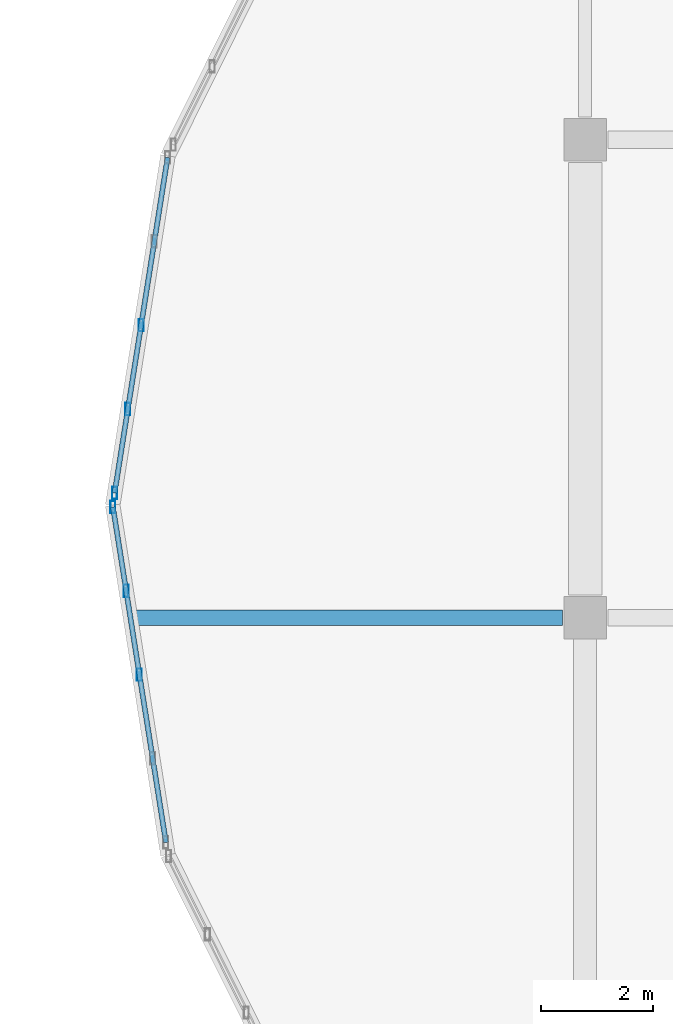
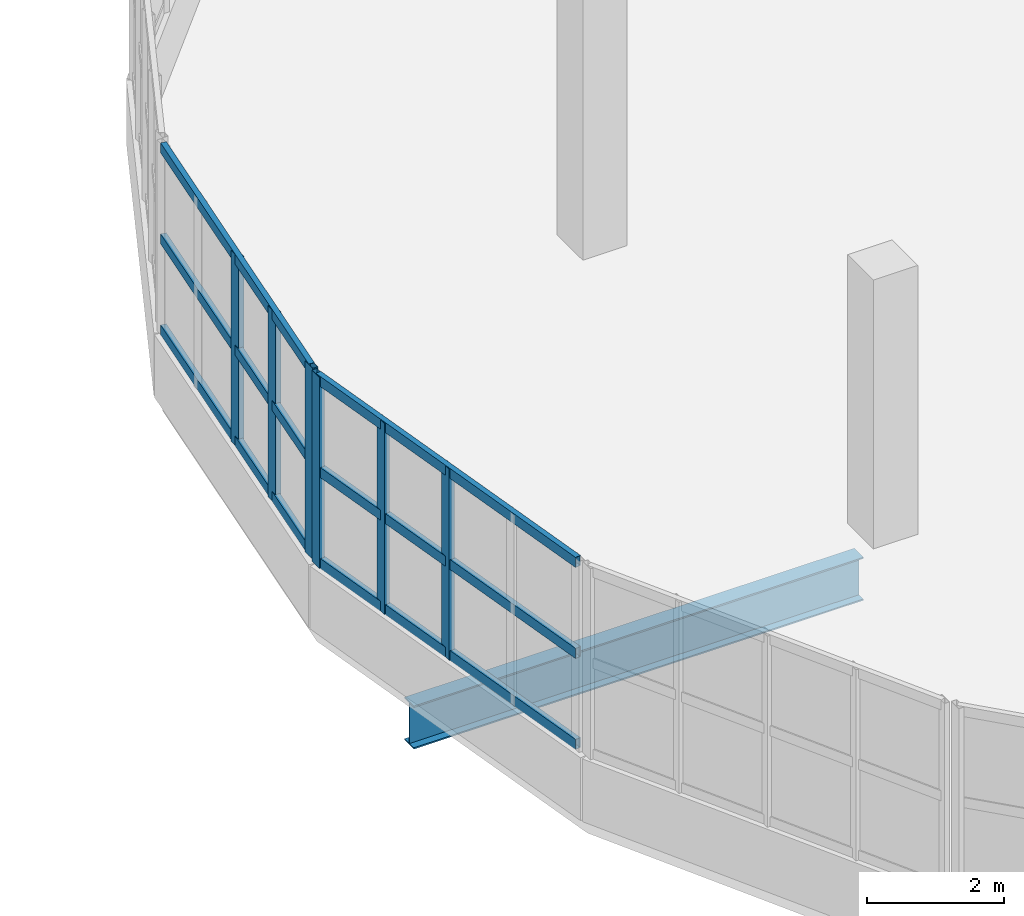
# One storey, part 14 of 117: 12 members, 1 beam, 2 elements without a shape of their own.
"""IFC4 building model written with IfcOpenShell, lengths in metres."""

from ifc_helpers import new_model, si_unit, direction, frame, origin, origin_2d, place, context, subcontext, project, spatial, hollow_rectangle, i_section, extrude, material, material_profile, profile_set, type_object, element, aggregate, save


model = new_model("IFC4")

# Units and contexts
model_context = context("Model", 3, precision=1e-05, world=origin(), true_north=direction((0.0, 1.0)))
body_context = subcontext(model_context, "Body", "Model", "MODEL_VIEW")
ifc_project = project(units=[si_unit("LENGTHUNIT", "METRE"), si_unit("AREAUNIT", "SQUARE_METRE"), si_unit("VOLUMEUNIT", "CUBIC_METRE"), si_unit("PLANEANGLEUNIT", "RADIAN"), si_unit("MASSUNIT", "GRAM", prefix="KILO")], contexts=[model_context])

# Site, building, storey
site_placement = place(None, origin())
site = spatial("IfcSite", under=ifc_project, at=site_placement, CompositionType="ELEMENT")
building_placement = place(site_placement, origin())
building = spatial("IfcBuilding", under=site, at=building_placement, Name="Solvento Point Concert Hall", CompositionType="ELEMENT")
storey_placement = place(building_placement, frame((0.0, 0.0, 5.39990234375)))
storey = spatial("IfcBuildingStorey", under=building, at=storey_placement, Name="L01", CompositionType="ELEMENT", Elevation=5.39990234375)

# Beam
ifc_material_1 = material(Name="Structural Steel ASTM A992 Grade 50", Category="steel")
ifc_material_profile_1 = material_profile(ifc_material_1, i_section(OverallWidth=0.26806640625, OverallDepth=0.77001953125, WebThickness=0.015625, FlangeThickness=0.025390625, at=origin_2d()), Name="W30X132")
ifc_profile_set_1 = profile_set([ifc_material_profile_1], Name="Structural Steel ASTM A992 Grade 50")
beam_type = type_object("IfcBeamType", Name="Girder_W30X132", PredefinedType="USERDEFINED", material=ifc_profile_set_1)
beam_placement = place(storey_placement, frame((32.803955078125, 34.0, -0.6689453125), z_axis=(1.0, 0.0, 0.0), x_axis=(0.0, 1.0, 0.0)))
element("IfcBeam", 1, at=beam_placement, inside=storey, type_object=beam_type, Name="Primary girder B-68 L01", ObjectType="GIRDER", PredefinedType="USERDEFINED", context=body_context, shape_type="SweptSolid", body=[
    extrude(i_section(OverallWidth=0.26806640625, OverallDepth=0.77001953125, WebThickness=0.015625, FlangeThickness=0.025390625, at=origin_2d()), origin(), (0.0, 0.0, 1.0), 7.592041015625),
])

# Curtain wall, members
ifc_material_2 = material(Name="Anodized Bronze Aluminium", Category="aluminium")
curtain_wall_type = type_object("IfcCurtainWallType", Name="CurtainWall_RingRibbon_L01_02", PredefinedType="USERDEFINED", material=ifc_material_2)
curtain_wall_1_placement = place(storey_placement, origin())
curtain_wall_1 = element("IfcCurtainWall", 2, at=curtain_wall_1_placement, inside=storey, type_object=curtain_wall_type, Name="Unitised curtain wall CW-59 UCW-L01-097", ObjectType="UNITISED CURTAIN WALL", PredefinedType="USERDEFINED")
ifc_material_3 = material(Name="Anodized Bronze Aluminium", Category="aluminium")
ifc_material_profile_2 = material_profile(ifc_material_3, hollow_rectangle(XDim=0.090087890625, YDim=0.219970703125, WallThickness=0.00439453125, at=origin_2d()), Name="CW-MUL-90X220")
ifc_profile_set_2 = profile_set([ifc_material_profile_2], Name="Anodized Bronze Aluminium")
member_type_1 = type_object("IfcMemberType", Name="Mullion_90x220", PredefinedType="MULLION", material=ifc_profile_set_2)
member_1_placement = place(storey_placement, frame((32.875732421875, 32.988037109375, 1.1201171875), z_axis=(0.0, 0.0, 1.0), x_axis=(1.0, 0.0, 0.0)))
member_1 = element("IfcMember", 3, at=member_1_placement, type_object=member_type_1, Name="Curtain wall mullion ML-02", PredefinedType="MULLION", context=body_context, shape_type="SweptSolid", body=[
    extrude(hollow_rectangle(XDim=0.090087890625, YDim=0.219970703125, WallThickness=0.00439453125, at=origin_2d()), origin(), (0.0, 0.0, 1.0), 3.409912109375),
])
member_2_placement = place(storey_placement, frame((32.640380859375, 34.479248046875, 1.1201171875), z_axis=(0.0, 0.0, 1.0), x_axis=(1.0, 0.0, 0.0)))
member_2 = element("IfcMember", 4, at=member_2_placement, type_object=member_type_1, Name="Curtain wall mullion ML-02", PredefinedType="MULLION", context=body_context, shape_type="SweptSolid", body=[
    extrude(hollow_rectangle(XDim=0.090087890625, YDim=0.219970703125, WallThickness=0.00439453125, at=origin_2d()), origin(), (0.0, 0.0, 1.0), 3.409912109375),
])
member_3_placement = place(storey_placement, frame((32.40478515625, 35.970458984375, 1.1201171875), z_axis=(0.0, 0.0, 1.0), x_axis=(1.0, 0.0, 0.0)))
member_3 = element("IfcMember", 5, at=member_3_placement, type_object=member_type_1, Name="Curtain wall mullion ML-02", PredefinedType="MULLION", context=body_context, shape_type="SweptSolid", body=[
    extrude(hollow_rectangle(XDim=0.090087890625, YDim=0.219970703125, WallThickness=0.00439453125, at=origin_2d()), origin(), (0.0, 0.0, 1.0), 3.409912109375),
])

curtain_wall_2_placement = place(storey_placement, origin())
curtain_wall_2 = element("IfcCurtainWall", 6, at=curtain_wall_2_placement, inside=storey, type_object=curtain_wall_type, Name="Unitised curtain wall CW-59 UCW-L01-098", ObjectType="UNITISED CURTAIN WALL", PredefinedType="USERDEFINED")
member_4_placement = place(storey_placement, frame((32.434326171875, 36.21728515625, 1.1201171875), z_axis=(0.0, 0.0, 1.0), x_axis=(1.0, 0.0, 0.0)))
member_4 = element("IfcMember", 7, at=member_4_placement, type_object=member_type_1, Name="Curtain wall mullion ML-02", PredefinedType="MULLION", context=body_context, shape_type="SweptSolid", body=[
    extrude(hollow_rectangle(XDim=0.090087890625, YDim=0.219970703125, WallThickness=0.00439453125, at=origin_2d()), origin(), (0.0, 0.0, 1.0), 3.409912109375),
])
member_5_placement = place(storey_placement, frame((32.669921875, 37.70849609375, 1.1201171875), z_axis=(0.0, 0.0, 1.0), x_axis=(1.0, 0.0, 0.0)))
member_5 = element("IfcMember", 8, at=member_5_placement, type_object=member_type_1, Name="Curtain wall mullion ML-02", PredefinedType="MULLION", context=body_context, shape_type="SweptSolid", body=[
    extrude(hollow_rectangle(XDim=0.090087890625, YDim=0.219970703125, WallThickness=0.00439453125, at=origin_2d()), origin(), (0.0, 0.0, 1.0), 3.409912109375),
])
member_6_placement = place(storey_placement, frame((32.905517578125, 39.19970703125, 1.1201171875), z_axis=(0.0, 0.0, 1.0), x_axis=(1.0, 0.0, 0.0)))
member_6 = element("IfcMember", 9, at=member_6_placement, type_object=member_type_1, Name="Curtain wall mullion ML-02", PredefinedType="MULLION", context=body_context, shape_type="SweptSolid", body=[
    extrude(hollow_rectangle(XDim=0.090087890625, YDim=0.219970703125, WallThickness=0.00439453125, at=origin_2d()), origin(), (0.0, 0.0, 1.0), 3.409912109375),
])

# Member
ifc_material_4 = material(Name="Anodized Bronze Aluminium", Category="aluminium")
ifc_material_profile_3 = material_profile(ifc_material_4, hollow_rectangle(XDim=0.090087890625, YDim=0.179931640625, WallThickness=0.00439453125, at=origin_2d()), Name="CW-TRN-90X180")
ifc_profile_set_3 = profile_set([ifc_material_profile_3], Name="Anodized Bronze Aluminium")
member_type_2 = type_object("IfcMemberType", Name="Transom_90x180", PredefinedType="USERDEFINED", material=ifc_profile_set_3)
member_7_placement = place(storey_placement, frame((33.346923828125, 30.005615234375, 1.2001953125), z_axis=(-0.156014475008, 0.987754768952, 0.0), x_axis=(-0.987754768952, -0.156014475008, 0.0)))
member_7 = element("IfcMember", 10, at=member_7_placement, type_object=member_type_2, Name="Curtain wall transom TR-02", ObjectType="TRANSOM", PredefinedType="USERDEFINED", context=body_context, shape_type="SweptSolid", body=[
    extrude(hollow_rectangle(XDim=0.090087890625, YDim=0.179931640625, WallThickness=0.00439453125, at=origin_2d()), origin(), (0.0, 0.0, 1.0), 6.038818359375),
])

member_8_placement = place(storey_placement, frame((33.346923828125, 30.005615234375, 2.8251953125), z_axis=(-0.156014475008, 0.987754768952, 0.0), x_axis=(-0.987754768952, -0.156014475008, 0.0)))
member_8 = element("IfcMember", 11, at=member_8_placement, type_object=member_type_2, Name="Curtain wall transom TR-02", ObjectType="TRANSOM", PredefinedType="USERDEFINED", context=body_context, shape_type="SweptSolid", body=[
    extrude(hollow_rectangle(XDim=0.090087890625, YDim=0.179931640625, WallThickness=0.00439453125, at=origin_2d()), origin(), (0.0, 0.0, 1.0), 6.038818359375),
])

member_9_placement = place(storey_placement, frame((33.346923828125, 30.005615234375, 4.4501953125), z_axis=(-0.156014475008, 0.987754768952, 0.0), x_axis=(-0.987754768952, -0.156014475008, 0.0)))
member_9 = element("IfcMember", 12, at=member_9_placement, type_object=member_type_2, Name="Curtain wall transom TR-02", ObjectType="TRANSOM", PredefinedType="USERDEFINED", context=body_context, shape_type="SweptSolid", body=[
    extrude(hollow_rectangle(XDim=0.090087890625, YDim=0.179931640625, WallThickness=0.00439453125, at=origin_2d()), origin(), (0.0, 0.0, 1.0), 6.038818359375),
])

aggregate(curtain_wall_1, [member_1, member_2, member_3, member_7, member_8, member_9])

member_10_placement = place(storey_placement, frame((32.434326171875, 36.21728515625, 1.2001953125), z_axis=(0.15605391931, 0.987748537973, 0.0), x_axis=(-0.987748537973, 0.15605391931, 0.0)))
member_10 = element("IfcMember", 13, at=member_10_placement, type_object=member_type_2, Name="Curtain wall transom TR-02", ObjectType="TRANSOM", PredefinedType="USERDEFINED", context=body_context, shape_type="SweptSolid", body=[
    extrude(hollow_rectangle(XDim=0.090087890625, YDim=0.179931640625, WallThickness=0.00439453125, at=origin_2d()), origin(), (0.0, 0.0, 1.0), 6.038818359375),
])

member_11_placement = place(storey_placement, frame((32.434326171875, 36.21728515625, 2.8251953125), z_axis=(0.15605391931, 0.987748537973, 0.0), x_axis=(-0.987748537973, 0.15605391931, 0.0)))
member_11 = element("IfcMember", 14, at=member_11_placement, type_object=member_type_2, Name="Curtain wall transom TR-02", ObjectType="TRANSOM", PredefinedType="USERDEFINED", context=body_context, shape_type="SweptSolid", body=[
    extrude(hollow_rectangle(XDim=0.090087890625, YDim=0.179931640625, WallThickness=0.00439453125, at=origin_2d()), origin(), (0.0, 0.0, 1.0), 6.038818359375),
])

member_12_placement = place(storey_placement, frame((32.434326171875, 36.21728515625, 4.4501953125), z_axis=(0.15605391931, 0.987748537973, 0.0), x_axis=(-0.987748537973, 0.15605391931, 0.0)))
member_12 = element("IfcMember", 15, at=member_12_placement, type_object=member_type_2, Name="Curtain wall transom TR-02", ObjectType="TRANSOM", PredefinedType="USERDEFINED", context=body_context, shape_type="SweptSolid", body=[
    extrude(hollow_rectangle(XDim=0.090087890625, YDim=0.179931640625, WallThickness=0.00439453125, at=origin_2d()), origin(), (0.0, 0.0, 1.0), 6.038818359375),
])

aggregate(curtain_wall_2, [member_4, member_5, member_6, member_10, member_11, member_12])

save(model, "model.ifc")
